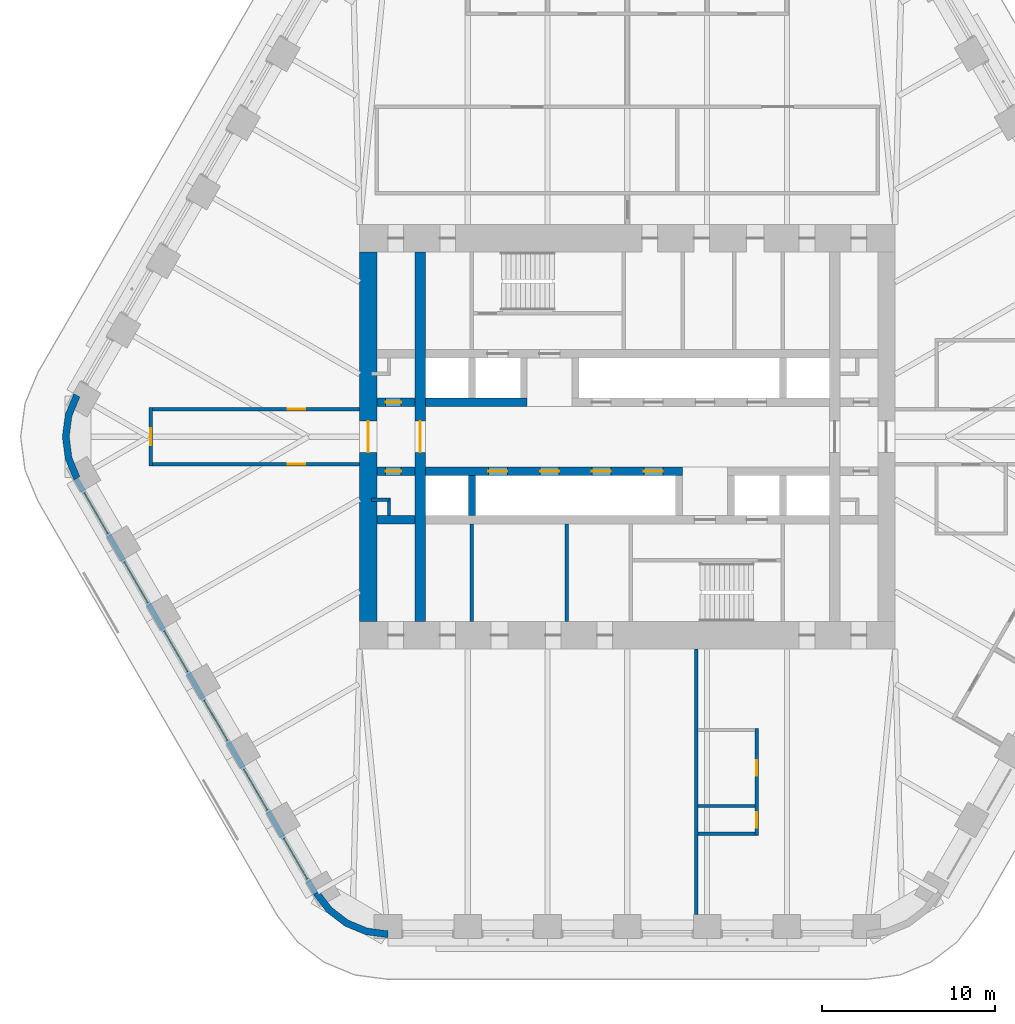
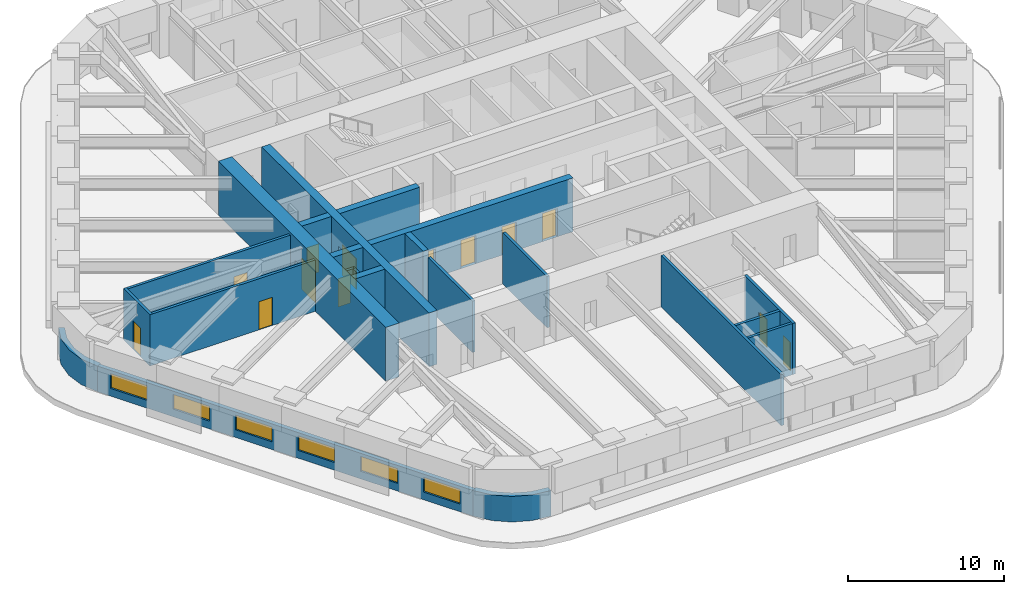
# One storey, part 14 of 20: 22 walls, 13 doors, 6 windows, 19 openings.
"""IFC4 building model written with IfcOpenShell, lengths in metres."""

from ifc_helpers import new_model, si_unit, direction, frame, frame_2d, origin, place, context, subcontext, project, spatial, polyline, rectangle, outline, extrude, material, layer, layer_set, type_object, element, fill, save


model = new_model("IFC4")

# Units and contexts
model_context = context("Model", 3, precision=1e-05, world=origin(), true_north=direction((0.0, 1.0)))
body_context = subcontext(model_context, "Body", "Model", "MODEL_VIEW")
ifc_project = project(units=[si_unit("LENGTHUNIT", "METRE"), si_unit("AREAUNIT", "SQUARE_METRE"), si_unit("VOLUMEUNIT", "CUBIC_METRE"), si_unit("PLANEANGLEUNIT", "RADIAN"), si_unit("MASSUNIT", "GRAM", prefix="KILO")], contexts=[model_context])

# Site, building, storey
site_placement = place(None, origin())
site = spatial("IfcSite", under=ifc_project, at=site_placement, CompositionType="ELEMENT")
building_placement = place(site_placement, origin())
building = spatial("IfcBuilding", under=site, at=building_placement, Name="Tarfa Lantern Tower", CompositionType="ELEMENT")
storey_placement = place(building_placement, frame((0.0, 0.0, 228.10009765625)))
storey = spatial("IfcBuildingStorey", under=building, at=storey_placement, Name="L51", CompositionType="ELEMENT", Elevation=228.10009765625)

# Wall, openings, windows
ifc_material_1 = material(Name="Limestone cladding on blockwork", Category="masonry")
ifc_layer_1 = layer(ifc_material_1, 0.300048828125)
ifc_layer_set_1 = layer_set([ifc_layer_1], Name="EW1 STONE-CLAD WALL 300")
wall_type_1 = type_object("IfcWallType", Name="EW1 STONE-CLAD WALL 300", PredefinedType="SOLIDWALL", material=ifc_layer_set_1)
wall_1_placement = place(storey_placement, frame((-31.9130859375, -2.425048828125, 0.0), z_axis=(0.0, 0.0, 1.0), x_axis=(0.500001051461, -0.866024796723, 0.0)))
wall_1 = element("IfcWall", 1, at=wall_1_placement, inside=storey, type_object=wall_type_1, Name="Stone wall SW", PredefinedType="SOLIDWALL", context=body_context, shape_type="SweptSolid", body=[
    extrude(rectangle(XDim=27.712890625, YDim=0.300048828125, at=frame_2d((13.8564453125, 0.0))), origin(), (0.0, 0.0, 1.0), 2.0),
])
opening_1_placement = place(wall_1_placement, frame((0.95947265625, 0.0, 0.60009765625)))
opening_1 = element("IfcOpeningElement", 2, at=opening_1_placement, cuts=wall_1, Name="Opening W13", PredefinedType="OPENING", context=body_context, shape_type="SweptSolid", body=[
    extrude(rectangle(XDim=2.699951171875, YDim=1.14990234375, at=frame_2d((1.35009765625, 0.574951171875))), frame((0.0, 0.159912109375, 0.0), z_axis=(0.0, -1.0, 0.0), x_axis=(1.0, 0.0, 0.0)), (0.0, 0.0, 1.0), 0.320068359375),
])
opening_2_placement = place(wall_1_placement, frame((5.578125, 0.0, 0.60009765625)))
opening_2 = element("IfcOpeningElement", 3, at=opening_2_placement, cuts=wall_1, Name="Opening W13", PredefinedType="OPENING", context=body_context, shape_type="SweptSolid", body=[
    extrude(rectangle(XDim=2.699951171875, YDim=1.14990234375, at=frame_2d((1.35009765625, 0.574951171875))), frame((0.0, 0.159912109375, 0.0), z_axis=(0.0, -1.0, 0.0), x_axis=(1.0, 0.0, 0.0)), (0.0, 0.0, 1.0), 0.320068359375),
])
opening_3_placement = place(wall_1_placement, frame((10.197021484375, 0.0, 0.60009765625)))
opening_3 = element("IfcOpeningElement", 4, at=opening_3_placement, cuts=wall_1, Name="Opening W13", PredefinedType="OPENING", context=body_context, shape_type="SweptSolid", body=[
    extrude(rectangle(XDim=2.699951171875, YDim=1.14990234375, at=frame_2d((1.35009765625, 0.574951171875))), frame((0.0, 0.159912109375, 0.0), z_axis=(0.0, -1.0, 0.0), x_axis=(1.0, 0.0, 0.0)), (0.0, 0.0, 1.0), 0.320068359375),
])
opening_4_placement = place(wall_1_placement, frame((14.81591796875, 0.0, 0.60009765625)))
opening_4 = element("IfcOpeningElement", 5, at=opening_4_placement, cuts=wall_1, Name="Opening W13", PredefinedType="OPENING", context=body_context, shape_type="SweptSolid", body=[
    extrude(rectangle(XDim=2.699951171875, YDim=1.14990234375, at=frame_2d((1.35009765625, 0.574951171875))), frame((0.0, 0.159912109375, 0.0), z_axis=(0.0, -1.0, 0.0), x_axis=(1.0, 0.0, 0.0)), (0.0, 0.0, 1.0), 0.320068359375),
])
opening_5_placement = place(wall_1_placement, frame((19.4345703125, 0.0, 0.60009765625)))
opening_5 = element("IfcOpeningElement", 6, at=opening_5_placement, cuts=wall_1, Name="Opening W13", PredefinedType="OPENING", context=body_context, shape_type="SweptSolid", body=[
    extrude(rectangle(XDim=2.699951171875, YDim=1.14990234375, at=frame_2d((1.35009765625, 0.574951171875))), frame((0.0, 0.159912109375, 0.0), z_axis=(0.0, -1.0, 0.0), x_axis=(1.0, 0.0, 0.0)), (0.0, 0.0, 1.0), 0.320068359375),
])
opening_6_placement = place(wall_1_placement, frame((24.053466796875, 0.0, 0.60009765625)))
opening_6 = element("IfcOpeningElement", 7, at=opening_6_placement, cuts=wall_1, Name="Opening W13", PredefinedType="OPENING", context=body_context, shape_type="SweptSolid", body=[
    extrude(rectangle(XDim=2.699951171875, YDim=1.14990234375, at=frame_2d((1.35009765625, 0.574951171875))), frame((0.0, 0.159912109375, 0.0), z_axis=(0.0, -1.0, 0.0), x_axis=(1.0, 0.0, 0.0)), (0.0, 0.0, 1.0), 0.320068359375),
])
ifc_material_2 = material(Name="Aluminium frame, double glazed", Category="aluminium")
window_type = type_object("IfcWindowType", Name="W13 FULL-HEIGHT GLAZING 2700x1150", PartitioningType="SINGLE_PANEL", PredefinedType="WINDOW", material=ifc_material_2)
window_1_placement = place(opening_1_placement, origin())
window_1 = element("IfcWindow", 8, at=window_1_placement, inside=storey, type_object=window_type, Name="Window SW 1", OverallHeight=1.14990234375, OverallWidth=2.699951171875, PartitioningType="SINGLE_PANEL", PredefinedType="WINDOW", context=body_context, shape_type="SweptSolid", body=[
    extrude(rectangle(XDim=2.699951171875, YDim=1.14990234375, at=frame_2d((1.35009765625, 0.574951171875))), frame((0.0, 0.030029296875, 0.0), z_axis=(0.0, -1.0, 0.0), x_axis=(1.0, 0.0, 0.0)), (0.0, 0.0, 1.0), 0.06005859375),
])
fill(opening_1, window_1)
window_2_placement = place(opening_2_placement, origin())
window_2 = element("IfcWindow", 9, at=window_2_placement, inside=storey, type_object=window_type, Name="Window SW 2", OverallHeight=1.14990234375, OverallWidth=2.699951171875, PartitioningType="SINGLE_PANEL", PredefinedType="WINDOW", context=body_context, shape_type="SweptSolid", body=[
    extrude(rectangle(XDim=2.699951171875, YDim=1.14990234375, at=frame_2d((1.35009765625, 0.574951171875))), frame((0.0, 0.030029296875, 0.0), z_axis=(0.0, -1.0, 0.0), x_axis=(1.0, 0.0, 0.0)), (0.0, 0.0, 1.0), 0.06005859375),
])
fill(opening_2, window_2)
window_3_placement = place(opening_3_placement, origin())
window_3 = element("IfcWindow", 10, at=window_3_placement, inside=storey, type_object=window_type, Name="Window SW 3", OverallHeight=1.14990234375, OverallWidth=2.699951171875, PartitioningType="SINGLE_PANEL", PredefinedType="WINDOW", context=body_context, shape_type="SweptSolid", body=[
    extrude(rectangle(XDim=2.699951171875, YDim=1.14990234375, at=frame_2d((1.35009765625, 0.574951171875))), frame((0.0, 0.030029296875, 0.0), z_axis=(0.0, -1.0, 0.0), x_axis=(1.0, 0.0, 0.0)), (0.0, 0.0, 1.0), 0.06005859375),
])
fill(opening_3, window_3)
window_4_placement = place(opening_4_placement, origin())
window_4 = element("IfcWindow", 11, at=window_4_placement, inside=storey, type_object=window_type, Name="Window SW 4", OverallHeight=1.14990234375, OverallWidth=2.699951171875, PartitioningType="SINGLE_PANEL", PredefinedType="WINDOW", context=body_context, shape_type="SweptSolid", body=[
    extrude(rectangle(XDim=2.699951171875, YDim=1.14990234375, at=frame_2d((1.35009765625, 0.574951171875))), frame((0.0, 0.030029296875, 0.0), z_axis=(0.0, -1.0, 0.0), x_axis=(1.0, 0.0, 0.0)), (0.0, 0.0, 1.0), 0.06005859375),
])
fill(opening_4, window_4)
window_5_placement = place(opening_5_placement, origin())
window_5 = element("IfcWindow", 12, at=window_5_placement, inside=storey, type_object=window_type, Name="Window SW 5", OverallHeight=1.14990234375, OverallWidth=2.699951171875, PartitioningType="SINGLE_PANEL", PredefinedType="WINDOW", context=body_context, shape_type="SweptSolid", body=[
    extrude(rectangle(XDim=2.699951171875, YDim=1.14990234375, at=frame_2d((1.35009765625, 0.574951171875))), frame((0.0, 0.030029296875, 0.0), z_axis=(0.0, -1.0, 0.0), x_axis=(1.0, 0.0, 0.0)), (0.0, 0.0, 1.0), 0.06005859375),
])
fill(opening_5, window_5)
window_6_placement = place(opening_6_placement, origin())
window_6 = element("IfcWindow", 13, at=window_6_placement, inside=storey, type_object=window_type, Name="Window SW 6", OverallHeight=1.14990234375, OverallWidth=2.699951171875, PartitioningType="SINGLE_PANEL", PredefinedType="WINDOW", context=body_context, shape_type="SweptSolid", body=[
    extrude(rectangle(XDim=2.699951171875, YDim=1.14990234375, at=frame_2d((1.35009765625, 0.574951171875))), frame((0.0, 0.030029296875, 0.0), z_axis=(0.0, -1.0, 0.0), x_axis=(1.0, 0.0, 0.0)), (0.0, 0.0, 1.0), 0.06005859375),
])
fill(opening_6, window_6)

# Walls
ifc_layer_2 = layer(ifc_material_1, 0.39990234375)
ifc_layer_set_2 = layer_set([ifc_layer_2], Name="EW2 CURVED STONE CORNER 400")
wall_type_2 = type_object("IfcWallType", Name="EW2 CURVED STONE CORNER 400", PredefinedType="SOLIDWALL", material=ifc_layer_set_2)
wall_2_placement = place(storey_placement, origin())
element("IfcWall", 14, at=wall_2_placement, inside=storey, type_object=wall_type_2, Name="Stone corner NW-SW", PredefinedType="SOLIDWALL", context=body_context, shape_type="SweptSolid", body=[
    extrude(outline(polyline([(-32.04296875, 2.5), (-32.54248046875, 1.294189453125), (-32.712890625, 0.0), (-32.54248046875, -1.294189453125), (-32.04296875, -2.5), (-31.696533203125, -2.300048828125), (-32.156005859375, -1.190673828125), (-32.312744140625, 0.0), (-32.156005859375, 1.190673828125), (-31.696533203125, 2.300048828125), (-32.04296875, 2.5)])), origin(), (0.0, 0.0, 1.0), 2.0),
])
wall_3_placement = place(storey_placement, origin())
element("IfcWall", 15, at=wall_3_placement, inside=storey, type_object=wall_type_2, Name="Stone corner SW-S", PredefinedType="SOLIDWALL", context=body_context, shape_type="SweptSolid", body=[
    extrude(outline(polyline([(-18.1865234375, -26.5), (-17.391845703125, -27.53564453125), (-16.3564453125, -28.330078125), (-15.150390625, -28.82958984375), (-13.8564453125, -29.0), (-13.8564453125, -28.60009765625), (-15.046875, -28.443359375), (-16.156494140625, -27.983642578125), (-17.109130859375, -27.252685546875), (-17.840087890625, -26.300048828125), (-18.1865234375, -26.5)])), origin(), (0.0, 0.0, 1.0), 2.0),
])
ifc_material_3 = material(Name="Concrete blockwork", Category="masonry")
ifc_layer_3 = layer(ifc_material_3, 0.199951171875)
ifc_layer_set_3 = layer_set([ifc_layer_3], Name="IW1 BLOCKWORK PARTITION 200 EI 120")
wall_type_3 = type_object("IfcWallType", Name="IW1 BLOCKWORK PARTITION 200 EI 120", PredefinedType="PARTITIONING", material=ifc_layer_set_3)
for number, where, z_axis, x_axis, name in (
    (16, (-9.0, -5.050048828125, 0.0), (0.0, 0.0, 1.0), (0.0, -1.0, 0.0), "Core partition"),
    (17, (-3.5, -5.050048828125, 0.0), (0.0, 0.0, 1.0), (0.0, -1.0, 0.0), "Core partition"),
):
    element("IfcWall", number, at=place(storey_placement, frame(where, z_axis=z_axis, x_axis=x_axis)), inside=storey, type_object=wall_type_3, Name=name, PredefinedType="PARTITIONING", context=body_context, shape_type="SweptSolid", body=[
        extrude(rectangle(XDim=5.64990234375, YDim=0.199951171875, at=frame_2d((2.824951171875, 0.0))), origin(), (0.0, 0.0, 1.0), 4.0),
    ])
for number, where, z_axis, x_axis, name in (
    (18, (-13.800048828125, -3.64990234375, 0.0), (0.0, 0.0, 1.0), (-1.0, 0.0, 0.0), "Core partition"),
    (19, (-13.800048828125, -3.550048828125, 0.0), (0.0, 0.0, 1.0), (0.0, -1.0, 0.0), "Core partition"),
):
    element("IfcWall", number, at=place(storey_placement, frame(where, z_axis=z_axis, x_axis=x_axis)), inside=storey, type_object=wall_type_3, Name=name, PredefinedType="PARTITIONING", context=body_context, shape_type="SweptSolid", body=[
        extrude(rectangle(XDim=1.0, YDim=0.199951171875, at=frame_2d((0.5, 0.0))), origin(), (0.0, 0.0, 1.0), 4.0),
    ])

# Wall, opening, door
ifc_material_4 = material(Name="Gypsum board on steel studs", Category="steel")
ifc_layer_4 = layer(ifc_material_4, 0.2099609375)
ifc_layer_set_4 = layer_set([ifc_layer_4], Name="IW2 ACOUSTIC PARTITION 200")
wall_type_4 = type_object("IfcWallType", Name="IW2 ACOUSTIC PARTITION 200", PredefinedType="PARTITIONING", material=ifc_layer_set_4)
wall_4_placement = place(storey_placement, frame((-15.5, 1.60009765625, 0.0), z_axis=(0.0, 0.0, 1.0), x_axis=(-1.0, 0.0, 0.0)))
wall_4 = element("IfcWall", 20, at=wall_4_placement, inside=storey, type_object=wall_type_4, Name="Partition", PredefinedType="PARTITIONING", context=body_context, shape_type="SweptSolid", body=[
    extrude(rectangle(XDim=12.199951171875, YDim=0.199951171875, at=frame_2d((6.10009765625, 0.0))), origin(), (0.0, 0.0, 1.0), 4.0),
])
opening_7_placement = place(wall_4_placement, frame((3.159912109375, 0.0, 0.0)))
opening_7 = element("IfcOpeningElement", 21, at=opening_7_placement, cuts=wall_4, Name="Opening D44", PredefinedType="OPENING", context=body_context, shape_type="SweptSolid", body=[
    extrude(rectangle(XDim=1.0, YDim=2.199951171875, at=frame_2d((0.5, 1.10009765625))), frame((0.0, 0.10986328125, 0.0), z_axis=(0.0, -1.0, 0.0), x_axis=(1.0, 0.0, 0.0)), (0.0, 0.0, 1.0), 0.219970703125),
])
ifc_material_5 = material(Name="Timber door", Category="wood")
door_type_1 = type_object("IfcDoorType", Name="DR1 ROOM DOOR 1000x2200", OperationType="SINGLE_SWING_LEFT", PredefinedType="DOOR", material=ifc_material_5)
door_1_placement = place(opening_7_placement, frame((1.0, 0.0, 0.0), z_axis=(0.0, 0.0, 1.0), x_axis=(-1.0, 0.0, 0.0)))
door_1 = element("IfcDoor", 22, at=door_1_placement, inside=storey, type_object=door_type_1, Name="Corridor door", OperationType="SINGLE_SWING_LEFT", OverallHeight=2.199951171875, OverallWidth=1.0, PredefinedType="DOOR", context=body_context, shape_type="SweptSolid", body=[
    extrude(rectangle(XDim=1.0, YDim=2.199951171875, at=frame_2d((0.5, 1.10009765625))), frame((0.0, 0.02490234375, 0.0), z_axis=(0.0, -1.0, 0.0), x_axis=(1.0, 0.0, 0.0)), (0.0, 0.0, 1.0), 0.050048828125),
])
fill(opening_7, door_1)

wall_5_placement = place(storey_placement, frame((-15.5, -1.60009765625, 0.0), z_axis=(0.0, 0.0, 1.0), x_axis=(-1.0, 0.0, 0.0)))
wall_5 = element("IfcWall", 23, at=wall_5_placement, inside=storey, type_object=wall_type_4, Name="Partition", PredefinedType="PARTITIONING", context=body_context, shape_type="SweptSolid", body=[
    extrude(rectangle(XDim=12.199951171875, YDim=0.199951171875, at=frame_2d((6.10009765625, 0.0))), origin(), (0.0, 0.0, 1.0), 4.0),
])
opening_8_placement = place(wall_5_placement, frame((3.159912109375, 0.0, 0.0)))
opening_8 = element("IfcOpeningElement", 24, at=opening_8_placement, cuts=wall_5, Name="Opening D45", PredefinedType="OPENING", context=body_context, shape_type="SweptSolid", body=[
    extrude(rectangle(XDim=1.0, YDim=2.199951171875, at=frame_2d((0.5, 1.10009765625))), frame((0.0, 0.10986328125, 0.0), z_axis=(0.0, -1.0, 0.0), x_axis=(1.0, 0.0, 0.0)), (0.0, 0.0, 1.0), 0.219970703125),
])
door_2_placement = place(opening_8_placement, origin())
door_2 = element("IfcDoor", 25, at=door_2_placement, inside=storey, type_object=door_type_1, Name="Corridor door", OperationType="SINGLE_SWING_RIGHT", OverallHeight=2.199951171875, OverallWidth=1.0, PredefinedType="DOOR", context=body_context, shape_type="SweptSolid", body=[
    extrude(rectangle(XDim=1.0, YDim=2.199951171875, at=frame_2d((0.5, 1.10009765625))), frame((0.0, 0.02490234375, 0.0), z_axis=(0.0, -1.0, 0.0), x_axis=(1.0, 0.0, 0.0)), (0.0, 0.0, 1.0), 0.050048828125),
])
fill(opening_8, door_2)

wall_6_placement = place(storey_placement, frame((-27.60009765625, -1.699951171875, 0.0), z_axis=(0.0, 0.0, 1.0), x_axis=(0.0, 1.0, 0.0)))
wall_6 = element("IfcWall", 26, at=wall_6_placement, inside=storey, type_object=wall_type_4, Name="Partition", PredefinedType="PARTITIONING", context=body_context, shape_type="SweptSolid", body=[
    extrude(rectangle(XDim=3.39990234375, YDim=0.199951171875, at=frame_2d((1.699951171875, 0.0))), origin(), (0.0, 0.0, 1.0), 4.0),
])
opening_9_placement = place(wall_6_placement, frame((1.199951171875, 0.0, 0.0)))
opening_9 = element("IfcOpeningElement", 27, at=opening_9_placement, cuts=wall_6, Name="Opening D43", PredefinedType="OPENING", context=body_context, shape_type="SweptSolid", body=[
    extrude(rectangle(XDim=1.0, YDim=2.199951171875, at=frame_2d((0.5, 1.10009765625))), frame((0.0, 0.10986328125, 0.0), z_axis=(0.0, -1.0, 0.0), x_axis=(1.0, 0.0, 0.0)), (0.0, 0.0, 1.0), 0.219970703125),
])
door_3_placement = place(opening_9_placement, origin())
door_3 = element("IfcDoor", 28, at=door_3_placement, inside=storey, type_object=door_type_1, Name="Corridor door", OperationType="SINGLE_SWING_RIGHT", OverallHeight=2.199951171875, OverallWidth=1.0, PredefinedType="DOOR", context=body_context, shape_type="SweptSolid", body=[
    extrude(rectangle(XDim=1.0, YDim=2.199951171875, at=frame_2d((0.5, 1.10009765625))), frame((0.0, 0.02490234375, 0.0), z_axis=(0.0, -1.0, 0.0), x_axis=(1.0, 0.0, 0.0)), (0.0, 0.0, 1.0), 0.050048828125),
])
fill(opening_9, door_3)

# Wall
wall_7_placement = place(storey_placement, frame((4.0, -12.300048828125, 0.0), z_axis=(0.0, 0.0, 1.0), x_axis=(0.0, -1.0, 0.0)))
element("IfcWall", 29, at=wall_7_placement, inside=storey, type_object=wall_type_4, Name="Partition", PredefinedType="PARTITIONING", context=body_context, shape_type="SweptSolid", body=[
    extrude(rectangle(XDim=15.349853515625, YDim=0.199951171875, at=frame_2d((7.6748046875, 0.0))), origin(), (0.0, 0.0, 1.0), 4.0),
])

# Wall, openings, doors
wall_8_placement = place(storey_placement, frame((7.5, -16.875, 0.0), z_axis=(0.0, 0.0, 1.0), x_axis=(0.0, -1.0, 0.0)))
wall_8 = element("IfcWall", 30, at=wall_8_placement, inside=storey, type_object=wall_type_4, Name="Partition", PredefinedType="PARTITIONING", context=body_context, shape_type="SweptSolid", body=[
    extrude(rectangle(XDim=6.199951171875, YDim=0.199951171875, at=frame_2d((3.10009765625, 0.0))), origin(), (0.0, 0.0, 1.0), 4.0),
])
opening_10_placement = place(wall_8_placement, frame((1.85009765625, 0.0, 0.0)))
opening_10 = element("IfcOpeningElement", 31, at=opening_10_placement, cuts=wall_8, Name="Opening D38", PredefinedType="OPENING", context=body_context, shape_type="SweptSolid", body=[
    extrude(rectangle(XDim=0.89990234375, YDim=2.199951171875, at=frame_2d((0.449951171875, 1.10009765625))), frame((0.0, 0.10986328125, 0.0), z_axis=(0.0, -1.0, 0.0), x_axis=(1.0, 0.0, 0.0)), (0.0, 0.0, 1.0), 0.219970703125),
])
opening_11_placement = place(wall_8_placement, frame((4.85009765625, 0.0, 0.0)))
opening_11 = element("IfcOpeningElement", 32, at=opening_11_placement, cuts=wall_8, Name="Opening D39", PredefinedType="OPENING", context=body_context, shape_type="SweptSolid", body=[
    extrude(rectangle(XDim=0.89990234375, YDim=2.199951171875, at=frame_2d((0.449951171875, 1.10009765625))), frame((0.0, 0.10986328125, 0.0), z_axis=(0.0, -1.0, 0.0), x_axis=(1.0, 0.0, 0.0)), (0.0, 0.0, 1.0), 0.219970703125),
])
door_type_2 = type_object("IfcDoorType", Name="DR3 ROOM DOOR 900x2200", OperationType="SINGLE_SWING_LEFT", PredefinedType="DOOR", material=ifc_material_5)
door_4_placement = place(opening_10_placement, frame((0.89990234375, 0.0, 0.0), z_axis=(0.0, 0.0, 1.0), x_axis=(-1.0, 0.0, 0.0)))
door_4 = element("IfcDoor", 33, at=door_4_placement, inside=storey, type_object=door_type_2, Name="Meeting room door", OperationType="SINGLE_SWING_LEFT", OverallHeight=2.199951171875, OverallWidth=0.89990234375, PredefinedType="DOOR", context=body_context, shape_type="SweptSolid", body=[
    extrude(rectangle(XDim=0.89990234375, YDim=2.199951171875, at=frame_2d((0.449951171875, 1.10009765625))), frame((0.0, 0.02490234375, 0.0), z_axis=(0.0, -1.0, 0.0), x_axis=(1.0, 0.0, 0.0)), (0.0, 0.0, 1.0), 0.050048828125),
])
fill(opening_10, door_4)
door_5_placement = place(opening_11_placement, frame((0.89990234375, 0.0, 0.0), z_axis=(0.0, 0.0, 1.0), x_axis=(-1.0, 0.0, 0.0)))
door_5 = element("IfcDoor", 34, at=door_5_placement, inside=storey, type_object=door_type_2, Name="Phone booth door", OperationType="SINGLE_SWING_RIGHT", OverallHeight=2.199951171875, OverallWidth=0.89990234375, PredefinedType="DOOR", context=body_context, shape_type="SweptSolid", body=[
    extrude(rectangle(XDim=0.89990234375, YDim=2.199951171875, at=frame_2d((0.449951171875, 1.10009765625))), frame((0.0, 0.02490234375, 0.0), z_axis=(0.0, -1.0, 0.0), x_axis=(1.0, 0.0, 0.0)), (0.0, 0.0, 1.0), 0.050048828125),
])
fill(opening_11, door_5)

# Walls
for number, where, z_axis, x_axis, name in (
    (35, (4.10009765625, -21.375, 0.0), (0.0, 0.0, 1.0), (1.0, 0.0, 0.0), "Partition"),
    (36, (4.10009765625, -22.97509765625, 0.0), (0.0, 0.0, 1.0), (1.0, 0.0, 0.0), "Partition"),
):
    element("IfcWall", number, at=place(storey_placement, frame(where, z_axis=z_axis, x_axis=x_axis)), inside=storey, type_object=wall_type_4, Name=name, PredefinedType="PARTITIONING", context=body_context, shape_type="SweptSolid", body=[
        extrude(rectangle(XDim=3.2998046875, YDim=0.199951171875, at=frame_2d((1.64990234375, 0.0))), origin(), (0.0, 0.0, 1.0), 4.0),
    ])

# Wall, opening, door
ifc_material_6 = material(Name="Concrete C80/95", Category="concrete")
ifc_layer_5 = layer(ifc_material_6, 1.0)
ifc_layer_set_5 = layer_set([ifc_layer_5], Name="SW2 CORE WALL 1000")
wall_type_5 = type_object("IfcWallType", Name="SW2 CORE WALL 1000", PredefinedType="SHEAR", material=ifc_layer_set_5)
wall_9_placement = place(storey_placement, frame((-15.0, 10.699951171875, 0.0), z_axis=(0.0, 0.0, 1.0), x_axis=(0.0, -1.0, 0.0)))
wall_9 = element("IfcWall", 37, at=wall_9_placement, inside=storey, type_object=wall_type_5, Name="Core wall W", PredefinedType="SHEAR", context=body_context, shape_type="SweptSolid", body=[
    extrude(rectangle(XDim=21.39990234375, YDim=1.0, at=frame_2d((10.699951171875, 0.0))), origin(), (0.0, 0.0, 1.0), 4.199951171875),
])
opening_12_placement = place(wall_9_placement, frame((9.800048828125, 0.0, 0.0)))
opening_12 = element("IfcOpeningElement", 38, at=opening_12_placement, cuts=wall_9, Name="Opening D12", PredefinedType="OPENING", context=body_context, shape_type="SweptSolid", body=[
    extrude(rectangle(XDim=1.800048828125, YDim=2.39990234375, at=frame_2d((0.89990234375, 1.199951171875))), frame((0.0, 0.510009765625, 0.0), z_axis=(0.0, -1.0, 0.0), x_axis=(1.0, 0.0, 0.0)), (0.0, 0.0, 1.0), 1.02001953125),
])
ifc_material_7 = material(Name="Steel fire door", Category="steel")
door_type_3 = type_object("IfcDoorType", Name="DL1 LOBBY DOOR 1800x2400", OperationType="DOUBLE_DOOR_SINGLE_SWING", PredefinedType="DOOR", material=ifc_material_7)
door_6_placement = place(opening_12_placement, frame((1.800048828125, 0.0, 0.0), z_axis=(0.0, 0.0, 1.0), x_axis=(-1.0, 0.0, 0.0)))
door_6 = element("IfcDoor", 39, at=door_6_placement, inside=storey, type_object=door_type_3, Name="Lift lobby door", OperationType="DOUBLE_DOOR_SINGLE_SWING", OverallHeight=2.39990234375, OverallWidth=1.800048828125, PredefinedType="DOOR", context=body_context, shape_type="SweptSolid", body=[
    extrude(rectangle(XDim=1.800048828125, YDim=2.39990234375, at=frame_2d((0.89990234375, 1.199951171875))), frame((0.0, 0.02490234375, 0.0), z_axis=(0.0, -1.0, 0.0), x_axis=(1.0, 0.0, 0.0)), (0.0, 0.0, 1.0), 0.050048828125),
])
fill(opening_12, door_6)

ifc_layer_6 = layer(ifc_material_6, 0.5)
ifc_layer_set_6 = layer_set([ifc_layer_6], Name="SW5 CORE WALL 500")
wall_type_6 = type_object("IfcWallType", Name="SW5 CORE WALL 500", PredefinedType="SHEAR", material=ifc_layer_set_6)
wall_10_placement = place(storey_placement, frame((-14.5, 2.0, 0.0), z_axis=(0.0, 0.0, 1.0), x_axis=(1.0, 0.0, 0.0)))
wall_10 = element("IfcWall", 40, at=wall_10_placement, inside=storey, type_object=wall_type_6, Name="Core wall lobby west N", PredefinedType="SHEAR", context=body_context, shape_type="SweptSolid", body=[
    extrude(rectangle(XDim=2.199951171875, YDim=0.5, at=frame_2d((1.10009765625, 0.0))), origin(), (0.0, 0.0, 1.0), 4.199951171875),
])
opening_13_placement = place(wall_10_placement, frame((0.5, 0.0, 0.0)))
opening_13 = element("IfcOpeningElement", 41, at=opening_13_placement, cuts=wall_10, Name="Opening D15", PredefinedType="OPENING", context=body_context, shape_type="SweptSolid", body=[
    extrude(rectangle(XDim=0.89990234375, YDim=2.199951171875, at=frame_2d((0.449951171875, 1.10009765625))), frame((0.0, 0.260009765625, 0.0), z_axis=(0.0, -1.0, 0.0), x_axis=(1.0, 0.0, 0.0)), (0.0, 0.0, 1.0), 0.52001953125),
])
door_type_4 = type_object("IfcDoorType", Name="DF6 SERVICE ROOM DOOR 900x2200", OperationType="SINGLE_SWING_LEFT", PredefinedType="DOOR", material=ifc_material_7)
door_7_placement = place(opening_13_placement, origin())
door_7 = element("IfcDoor", 42, at=door_7_placement, inside=storey, type_object=door_type_4, Name="Service room door", OperationType="SINGLE_SWING_RIGHT", OverallHeight=2.199951171875, OverallWidth=0.89990234375, PredefinedType="DOOR", context=body_context, shape_type="SweptSolid", body=[
    extrude(rectangle(XDim=0.89990234375, YDim=2.199951171875, at=frame_2d((0.449951171875, 1.10009765625))), frame((0.0, 0.02490234375, 0.0), z_axis=(0.0, -1.0, 0.0), x_axis=(1.0, 0.0, 0.0)), (0.0, 0.0, 1.0), 0.050048828125),
])
fill(opening_13, door_7)

# Wall
wall_11_placement = place(storey_placement, frame((-11.699951171875, 2.0, 0.0), z_axis=(0.0, 0.0, 1.0), x_axis=(1.0, 0.0, 0.0)))
element("IfcWall", 43, at=wall_11_placement, inside=storey, type_object=wall_type_6, Name="Core wall lobby west N", PredefinedType="SHEAR", context=body_context, shape_type="SweptSolid", body=[
    extrude(rectangle(XDim=5.89990234375, YDim=0.5, at=frame_2d((2.949951171875, 0.0))), origin(), (0.0, 0.0, 1.0), 4.199951171875),
])

# Wall, openings, doors
wall_12_placement = place(storey_placement, frame((3.199951171875, -2.0, 0.0), z_axis=(0.0, 0.0, 1.0), x_axis=(-1.0, 0.0, 0.0)))
wall_12 = element("IfcWall", 44, at=wall_12_placement, inside=storey, type_object=wall_type_6, Name="Core wall lobby east S", PredefinedType="SHEAR", context=body_context, shape_type="SweptSolid", body=[
    extrude(rectangle(XDim=14.89990234375, YDim=0.5, at=frame_2d((7.449951171875, 0.0))), origin(), (0.0, 0.0, 1.0), 4.199951171875),
])
opening_14_placement = place(wall_12_placement, frame((1.14990234375, 0.0, 0.0)))
opening_14 = element("IfcOpeningElement", 45, at=opening_14_placement, cuts=wall_12, Name="Opening LD07", PredefinedType="OPENING", context=body_context, shape_type="SweptSolid", body=[
    extrude(rectangle(XDim=1.10009765625, YDim=2.199951171875, at=frame_2d((0.550048828125, 1.10009765625))), frame((0.0, 0.260009765625, 0.0), z_axis=(0.0, -1.0, 0.0), x_axis=(1.0, 0.0, 0.0)), (0.0, 0.0, 1.0), 0.52001953125),
])
opening_15_placement = place(wall_12_placement, frame((4.14990234375, 0.0, 0.0)))
opening_15 = element("IfcOpeningElement", 46, at=opening_15_placement, cuts=wall_12, Name="Opening LD08", PredefinedType="OPENING", context=body_context, shape_type="SweptSolid", body=[
    extrude(rectangle(XDim=1.10009765625, YDim=2.199951171875, at=frame_2d((0.550048828125, 1.10009765625))), frame((0.0, 0.260009765625, 0.0), z_axis=(0.0, -1.0, 0.0), x_axis=(1.0, 0.0, 0.0)), (0.0, 0.0, 1.0), 0.52001953125),
])
opening_16_placement = place(wall_12_placement, frame((7.14990234375, 0.0, 0.0)))
opening_16 = element("IfcOpeningElement", 47, at=opening_16_placement, cuts=wall_12, Name="Opening LD09", PredefinedType="OPENING", context=body_context, shape_type="SweptSolid", body=[
    extrude(rectangle(XDim=1.10009765625, YDim=2.199951171875, at=frame_2d((0.550048828125, 1.10009765625))), frame((0.0, 0.260009765625, 0.0), z_axis=(0.0, -1.0, 0.0), x_axis=(1.0, 0.0, 0.0)), (0.0, 0.0, 1.0), 0.52001953125),
])
opening_17_placement = place(wall_12_placement, frame((10.14990234375, 0.0, 0.0)))
opening_17 = element("IfcOpeningElement", 48, at=opening_17_placement, cuts=wall_12, Name="Opening LD10", PredefinedType="OPENING", context=body_context, shape_type="SweptSolid", body=[
    extrude(rectangle(XDim=1.10009765625, YDim=2.199951171875, at=frame_2d((0.550048828125, 1.10009765625))), frame((0.0, 0.260009765625, 0.0), z_axis=(0.0, -1.0, 0.0), x_axis=(1.0, 0.0, 0.0)), (0.0, 0.0, 1.0), 0.52001953125),
])
ifc_material_8 = material(Name="Stainless steel lift door", Category="steel")
door_type_5 = type_object("IfcDoorType", Name="LD2 LIFT LANDING DOOR 1100x2200", OperationType="SLIDING_TO_LEFT", PredefinedType="DOOR", material=ifc_material_8)
door_8_placement = place(opening_14_placement, frame((1.10009765625, 0.0, 0.0), z_axis=(0.0, 0.0, 1.0), x_axis=(-1.0, 0.0, 0.0)))
door_8 = element("IfcDoor", 49, at=door_8_placement, inside=storey, type_object=door_type_5, Name="Landing door PC5", OperationType="SLIDING_TO_LEFT", OverallHeight=2.199951171875, OverallWidth=1.10009765625, PredefinedType="DOOR", context=body_context, shape_type="SweptSolid", body=[
    extrude(rectangle(XDim=1.10009765625, YDim=2.199951171875, at=frame_2d((0.550048828125, 1.10009765625))), frame((0.0, 0.02490234375, 0.0), z_axis=(0.0, -1.0, 0.0), x_axis=(1.0, 0.0, 0.0)), (0.0, 0.0, 1.0), 0.050048828125),
])
fill(opening_14, door_8)
door_9_placement = place(opening_15_placement, frame((1.10009765625, 0.0, 0.0), z_axis=(0.0, 0.0, 1.0), x_axis=(-1.0, 0.0, 0.0)))
door_9 = element("IfcDoor", 50, at=door_9_placement, inside=storey, type_object=door_type_5, Name="Landing door PC6", OperationType="SLIDING_TO_LEFT", OverallHeight=2.199951171875, OverallWidth=1.10009765625, PredefinedType="DOOR", context=body_context, shape_type="SweptSolid", body=[
    extrude(rectangle(XDim=1.10009765625, YDim=2.199951171875, at=frame_2d((0.550048828125, 1.10009765625))), frame((0.0, 0.02490234375, 0.0), z_axis=(0.0, -1.0, 0.0), x_axis=(1.0, 0.0, 0.0)), (0.0, 0.0, 1.0), 0.050048828125),
])
fill(opening_15, door_9)
door_10_placement = place(opening_16_placement, frame((1.10009765625, 0.0, 0.0), z_axis=(0.0, 0.0, 1.0), x_axis=(-1.0, 0.0, 0.0)))
door_10 = element("IfcDoor", 51, at=door_10_placement, inside=storey, type_object=door_type_5, Name="Landing door PC7", OperationType="SLIDING_TO_LEFT", OverallHeight=2.199951171875, OverallWidth=1.10009765625, PredefinedType="DOOR", context=body_context, shape_type="SweptSolid", body=[
    extrude(rectangle(XDim=1.10009765625, YDim=2.199951171875, at=frame_2d((0.550048828125, 1.10009765625))), frame((0.0, 0.02490234375, 0.0), z_axis=(0.0, -1.0, 0.0), x_axis=(1.0, 0.0, 0.0)), (0.0, 0.0, 1.0), 0.050048828125),
])
fill(opening_16, door_10)
door_11_placement = place(opening_17_placement, frame((1.10009765625, 0.0, 0.0), z_axis=(0.0, 0.0, 1.0), x_axis=(-1.0, 0.0, 0.0)))
door_11 = element("IfcDoor", 52, at=door_11_placement, inside=storey, type_object=door_type_5, Name="Landing door PC8", OperationType="SLIDING_TO_LEFT", OverallHeight=2.199951171875, OverallWidth=1.10009765625, PredefinedType="DOOR", context=body_context, shape_type="SweptSolid", body=[
    extrude(rectangle(XDim=1.10009765625, YDim=2.199951171875, at=frame_2d((0.550048828125, 1.10009765625))), frame((0.0, 0.02490234375, 0.0), z_axis=(0.0, -1.0, 0.0), x_axis=(1.0, 0.0, 0.0)), (0.0, 0.0, 1.0), 0.050048828125),
])
fill(opening_17, door_11)

# Wall, opening, door
wall_13_placement = place(storey_placement, frame((-12.300048828125, -2.0, 0.0), z_axis=(0.0, 0.0, 1.0), x_axis=(-1.0, 0.0, 0.0)))
wall_13 = element("IfcWall", 53, at=wall_13_placement, inside=storey, type_object=wall_type_6, Name="Core wall lobby east S", PredefinedType="SHEAR", context=body_context, shape_type="SweptSolid", body=[
    extrude(rectangle(XDim=2.199951171875, YDim=0.5, at=frame_2d((1.10009765625, 0.0))), origin(), (0.0, 0.0, 1.0), 4.199951171875),
])
opening_18_placement = place(wall_13_placement, frame((0.800048828125, 0.0, 0.0)))
opening_18 = element("IfcOpeningElement", 54, at=opening_18_placement, cuts=wall_13, Name="Opening D14", PredefinedType="OPENING", context=body_context, shape_type="SweptSolid", body=[
    extrude(rectangle(XDim=0.89990234375, YDim=2.199951171875, at=frame_2d((0.449951171875, 1.10009765625))), frame((0.0, 0.260009765625, 0.0), z_axis=(0.0, -1.0, 0.0), x_axis=(1.0, 0.0, 0.0)), (0.0, 0.0, 1.0), 0.52001953125),
])
door_12_placement = place(opening_18_placement, origin())
door_12 = element("IfcDoor", 55, at=door_12_placement, inside=storey, type_object=door_type_4, Name="Service room door", OperationType="SINGLE_SWING_LEFT", OverallHeight=2.199951171875, OverallWidth=0.89990234375, PredefinedType="DOOR", context=body_context, shape_type="SweptSolid", body=[
    extrude(rectangle(XDim=0.89990234375, YDim=2.199951171875, at=frame_2d((0.449951171875, 1.10009765625))), frame((0.0, 0.02490234375, 0.0), z_axis=(0.0, -1.0, 0.0), x_axis=(1.0, 0.0, 0.0)), (0.0, 0.0, 1.0), 0.050048828125),
])
fill(opening_18, door_12)

# Walls
wall_14_placement = place(storey_placement, frame((-12.300048828125, -4.800048828125, 0.0), z_axis=(0.0, 0.0, 1.0), x_axis=(-1.0, 0.0, 0.0)))
element("IfcWall", 56, at=wall_14_placement, inside=storey, type_object=wall_type_6, Name="Core wall rear S", PredefinedType="SHEAR", context=body_context, shape_type="SweptSolid", body=[
    extrude(rectangle(XDim=2.199951171875, YDim=0.5, at=frame_2d((1.10009765625, 0.0))), origin(), (0.0, 0.0, 1.0), 4.199951171875),
])
ifc_layer_7 = layer(ifc_material_6, 0.39990234375)
ifc_layer_set_7 = layer_set([ifc_layer_7], Name="SW6 CORE WALL 400")
wall_type_7 = type_object("IfcWallType", Name="SW6 CORE WALL 400", PredefinedType="SHEAR", material=ifc_layer_set_7)
wall_15_placement = place(storey_placement, frame((-9.0, -2.25, 0.0), z_axis=(0.0, 0.0, 1.0), x_axis=(0.0, -1.0, 0.0)))
element("IfcWall", 57, at=wall_15_placement, inside=storey, type_object=wall_type_7, Name="Core wall divider S", PredefinedType="SHEAR", context=body_context, shape_type="SweptSolid", body=[
    extrude(rectangle(XDim=2.300048828125, YDim=0.39990234375, at=frame_2d((1.14990234375, 0.0))), origin(), (0.0, 0.0, 1.0), 4.199951171875),
])

# Wall, opening, door
ifc_layer_8 = layer(ifc_material_6, 0.60009765625)
ifc_layer_set_8 = layer_set([ifc_layer_8], Name="SW9 CORE WALL 600")
wall_type_8 = type_object("IfcWallType", Name="SW9 CORE WALL 600", PredefinedType="SHEAR", material=ifc_layer_set_8)
wall_16_placement = place(storey_placement, frame((-12.0, -10.699951171875, 0.0), z_axis=(0.0, 0.0, 1.0), x_axis=(0.0, 1.0, 0.0)))
wall_16 = element("IfcWall", 58, at=wall_16_placement, inside=storey, type_object=wall_type_8, Name="Core wall cross 12 m west", PredefinedType="SHEAR", context=body_context, shape_type="SweptSolid", body=[
    extrude(rectangle(XDim=21.39990234375, YDim=0.60009765625, at=frame_2d((10.699951171875, 0.0))), origin(), (0.0, 0.0, 1.0), 4.199951171875),
])
opening_19_placement = place(wall_16_placement, frame((9.800048828125, 0.0, 0.0)))
opening_19 = element("IfcOpeningElement", 59, at=opening_19_placement, cuts=wall_16, Name="Opening D26", PredefinedType="OPENING", context=body_context, shape_type="SweptSolid", body=[
    extrude(rectangle(XDim=1.800048828125, YDim=2.39990234375, at=frame_2d((0.89990234375, 1.199951171875))), frame((0.0, 0.31005859375, 0.0), z_axis=(0.0, -1.0, 0.0), x_axis=(1.0, 0.0, 0.0)), (0.0, 0.0, 1.0), 0.6201171875),
])
door_13_placement = place(opening_19_placement, origin())
door_13 = element("IfcDoor", 60, at=door_13_placement, inside=storey, type_object=door_type_3, Name="Lift lobby door", OperationType="DOUBLE_DOOR_SINGLE_SWING", OverallHeight=2.39990234375, OverallWidth=1.800048828125, PredefinedType="DOOR", context=body_context, shape_type="SweptSolid", body=[
    extrude(rectangle(XDim=1.800048828125, YDim=2.39990234375, at=frame_2d((0.89990234375, 1.199951171875))), frame((0.0, 0.02490234375, 0.0), z_axis=(0.0, -1.0, 0.0), x_axis=(1.0, 0.0, 0.0)), (0.0, 0.0, 1.0), 0.050048828125),
])
fill(opening_19, door_13)

save(model, "model.ifc")
